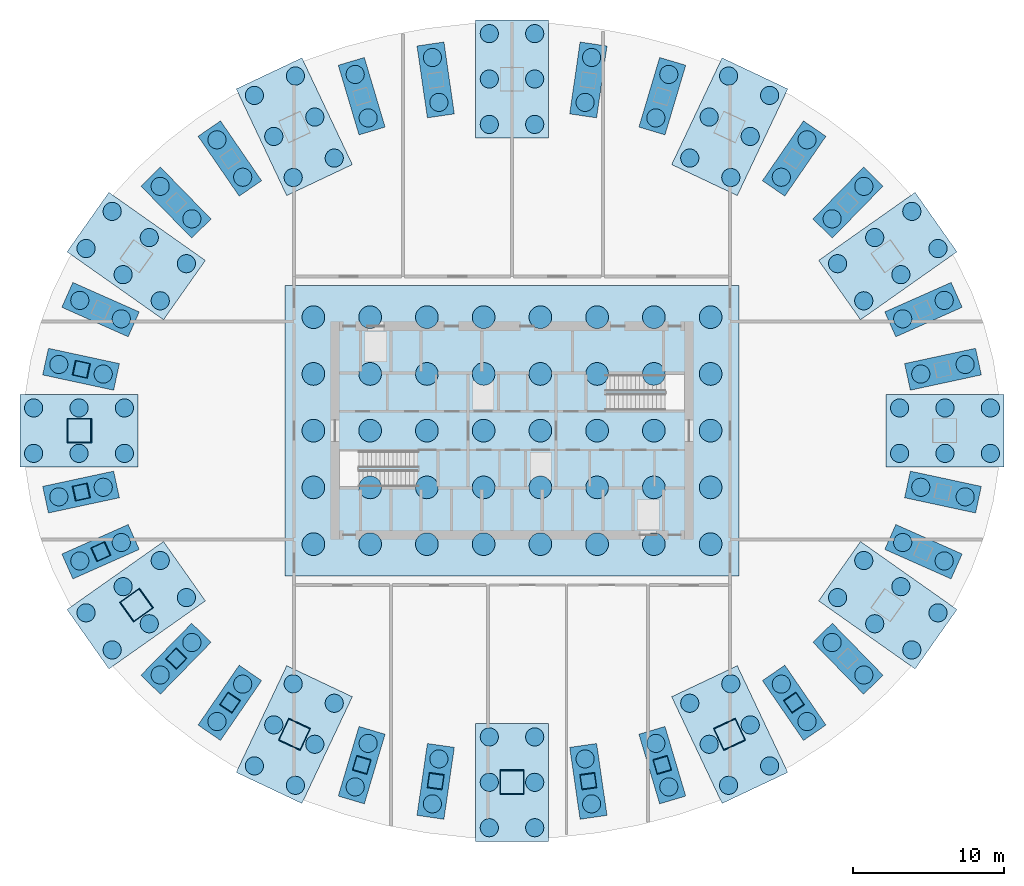
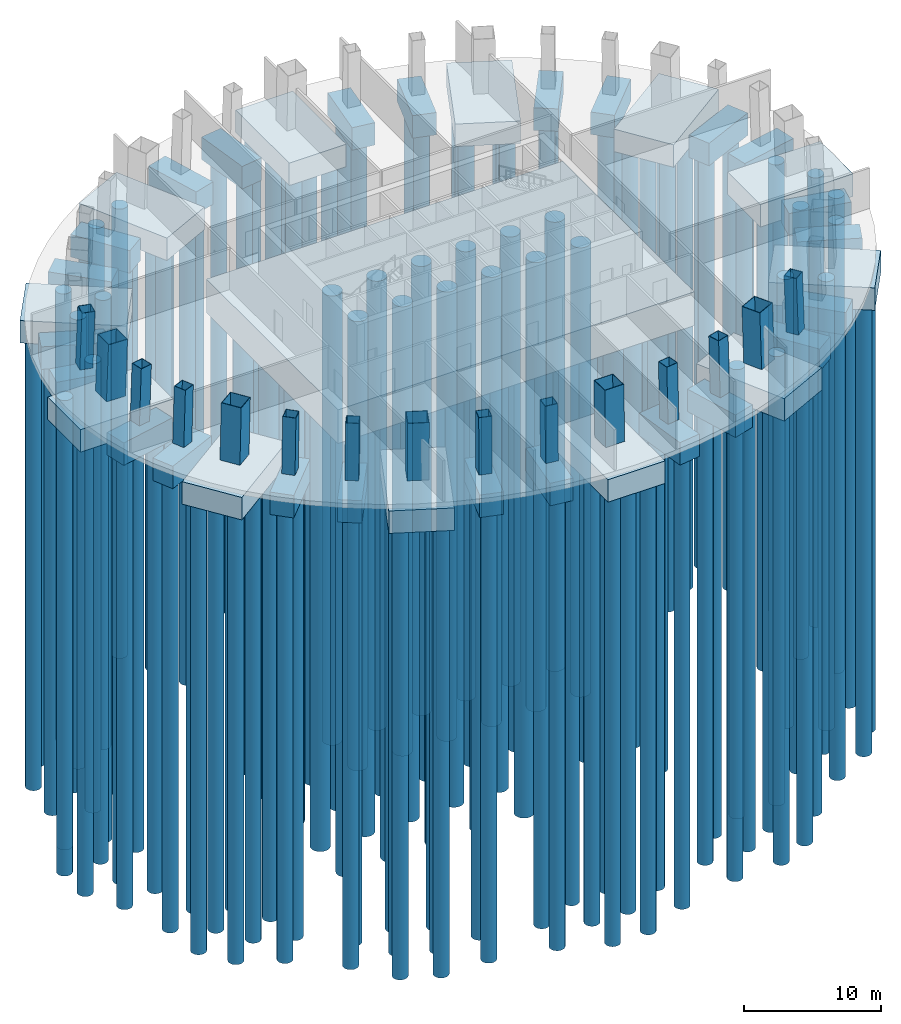
# One storey, part 1 of 7: 160 piles, 37 footings, 15 columns.
"""IFC4 building model written with IfcOpenShell, lengths in metres."""

from ifc_helpers import new_model, si_unit, direction, frame, origin, origin_2d, place, context, subcontext, project, spatial, rectangle, hollow_rectangle, circle, extrude, material, material_profile, profile_set, type_object, element, save


model = new_model("IFC4")

# Units and contexts
model_context = context("Model", 3, precision=1e-05, world=origin(), true_north=direction((0.0, 1.0)))
body_context = subcontext(model_context, "Body", "Model", "MODEL_VIEW")
ifc_project = project(units=[si_unit("LENGTHUNIT", "METRE"), si_unit("AREAUNIT", "SQUARE_METRE"), si_unit("VOLUMEUNIT", "CUBIC_METRE"), si_unit("PLANEANGLEUNIT", "RADIAN"), si_unit("MASSUNIT", "GRAM", prefix="KILO")], contexts=[model_context])

# Site, building, storey
site_placement = place(None, origin())
site = spatial("IfcSite", under=ifc_project, at=site_placement, CompositionType="ELEMENT")
building_placement = place(site_placement, origin())
building = spatial("IfcBuilding", under=site, at=building_placement, Name="Siaravel Broadcast Tower", CompositionType="ELEMENT")
storey_placement = place(building_placement, frame((0.0, 0.0, -5.0)))
storey = spatial("IfcBuildingStorey", under=building, at=storey_placement, Name="B1", CompositionType="ELEMENT", Elevation=-5.0)

# Footings
ifc_material_1 = material(Name="Concrete C40/50", Category="concrete")
footing_type_1 = type_object("IfcFootingType", Name="CAP-MEGA", PredefinedType="PILE_CAP", material=ifc_material_1)
for number, where, z_axis, x_axis, name in (
    (1, (28.615234375, 0.0, -2.39990234375), (0.0, 0.0, 1.0), (1.0, 0.0, 0.0), "Pile cap 01"),
    (2, (24.835205078125, 11.536376953125, -2.39990234375), (0.0, 0.0, 1.0), (0.817366172, 0.576118513, 0.0), "Pile cap 04"),
    (3, (14.387451171875, 20.084716796875, -2.39990234375), (0.0, 0.0, 1.0), (0.427515649, 0.904007948, 0.0), "Pile cap 07"),
    (4, (0.0, 23.240234375, -2.39990234375), (0.0, 0.0, 1.0), (0.0, 1.0, 0.0), "Pile cap 10"),
    (5, (-14.387451171875, 20.084716796875, -2.39990234375), (0.0, 0.0, 1.0), (-0.427515649, 0.904007948, 0.0), "Pile cap 13"),
    (6, (-24.835205078125, 11.536376953125, -2.39990234375), (0.0, 0.0, 1.0), (-0.817366172, 0.576118513, 0.0), "Pile cap 16"),
    (7, (-28.615234375, 0.0, -2.39990234375), (0.0, 0.0, 1.0), (-1.0, 0.0, 0.0), "Pile cap 19"),
    (8, (-24.835205078125, -11.536376953125, -2.39990234375), (0.0, 0.0, 1.0), (-0.817366172, -0.576118513, 0.0), "Pile cap 22"),
    (9, (-14.387451171875, -20.084716796875, -2.39990234375), (0.0, 0.0, 1.0), (-0.427515649, -0.904007948, 0.0), "Pile cap 25"),
    (10, (0.0, -23.240234375, -2.39990234375), (0.0, 0.0, 1.0), (0.0, -1.0, 0.0), "Pile cap 28"),
    (11, (14.387451171875, -20.084716796875, -2.39990234375), (0.0, 0.0, 1.0), (0.427515649, -0.904007948, 0.0), "Pile cap 31"),
    (12, (24.835205078125, -11.536376953125, -2.39990234375), (0.0, 0.0, 1.0), (0.817366172, -0.576118513, 0.0), "Pile cap 34"),
):
    element("IfcFooting", number, at=place(storey_placement, frame(where, z_axis=z_axis, x_axis=x_axis)), inside=storey, type_object=footing_type_1, Name=name, PredefinedType="PILE_CAP", context=body_context, shape_type="SweptSolid", body=[
        extrude(rectangle(XDim=7.800048828125, YDim=4.800048828125, at=origin_2d()), origin(), (0.0, 0.0, 1.0), 2.0),
    ])
footing_type_2 = type_object("IfcFootingType", Name="CAP-STD", PredefinedType="PILE_CAP", material=ifc_material_1)
for number, where, z_axis, x_axis, name in (
    (13, (28.481689453125, 4.058349609375, -2.39990234375), (0.0, 0.0, 1.0), (0.977607284, 0.210437635, 0.0), "Pile cap 02"),
    (14, (27.192138671875, 8.0, -2.39990234375), (0.0, 0.0, 1.0), (0.913843366, 0.40606687, 0.0), "Pile cap 03"),
    (15, (22.204345703125, 15.072998046875, -2.39990234375), (0.0, 0.0, 1.0), (0.698527698, 0.715583018, 0.0), "Pile cap 05"),
    (16, (18.6474609375, 17.986328125, -2.39990234375), (0.0, 0.0, 1.0), (0.566420621, 0.824116303, 0.0), "Pile cap 06"),
    (17, (9.934814453125, 22.105712890625, -2.39990234375), (0.0, 0.0, 1.0), (0.285705093, 0.958317588, 0.0), "Pile cap 08"),
    (18, (5.045654296875, 23.1787109375, -2.39990234375), (0.0, 0.0, 1.0), (0.142939874, 0.989731374, 0.0), "Pile cap 09"),
    (19, (-5.045654296875, 23.1787109375, -2.39990234375), (0.0, 0.0, 1.0), (-0.142939874, 0.989731374, 0.0), "Pile cap 11"),
    (20, (-9.934814453125, 22.105712890625, -2.39990234375), (0.0, 0.0, 1.0), (-0.285705093, 0.958317588, 0.0), "Pile cap 12"),
    (21, (-18.6474609375, 17.986328125, -2.39990234375), (0.0, 0.0, 1.0), (-0.566420621, 0.824116303, 0.0), "Pile cap 14"),
    (22, (-22.204345703125, 15.072998046875, -2.39990234375), (0.0, 0.0, 1.0), (-0.698527698, 0.715583018, 0.0), "Pile cap 15"),
    (23, (-27.192138671875, 8.0, -2.39990234375), (0.0, 0.0, 1.0), (-0.913843366, 0.40606687, 0.0), "Pile cap 17"),
    (24, (-28.481689453125, 4.058349609375, -2.39990234375), (0.0, 0.0, 1.0), (-0.977607284, 0.210437635, 0.0), "Pile cap 18"),
    (25, (-28.481689453125, -4.058349609375, -2.39990234375), (0.0, 0.0, 1.0), (-0.977607284, -0.210437635, 0.0), "Pile cap 20"),
    (26, (-27.192138671875, -8.0, -2.39990234375), (0.0, 0.0, 1.0), (-0.913843366, -0.40606687, 0.0), "Pile cap 21"),
    (27, (-22.204345703125, -15.072998046875, -2.39990234375), (0.0, 0.0, 1.0), (-0.698527698, -0.715583018, 0.0), "Pile cap 23"),
    (28, (-18.6474609375, -17.986328125, -2.39990234375), (0.0, 0.0, 1.0), (-0.566420621, -0.824116303, 0.0), "Pile cap 24"),
    (29, (-9.934814453125, -22.105712890625, -2.39990234375), (0.0, 0.0, 1.0), (-0.285705093, -0.958317588, 0.0), "Pile cap 26"),
    (30, (-5.045654296875, -23.1787109375, -2.39990234375), (0.0, 0.0, 1.0), (-0.142939874, -0.989731374, 0.0), "Pile cap 27"),
    (31, (5.045654296875, -23.1787109375, -2.39990234375), (0.0, 0.0, 1.0), (0.142939874, -0.989731374, 0.0), "Pile cap 29"),
    (32, (9.934814453125, -22.105712890625, -2.39990234375), (0.0, 0.0, 1.0), (0.285705093, -0.958317588, 0.0), "Pile cap 30"),
    (33, (18.6474609375, -17.986328125, -2.39990234375), (0.0, 0.0, 1.0), (0.566420621, -0.824116303, 0.0), "Pile cap 32"),
    (34, (22.204345703125, -15.072998046875, -2.39990234375), (0.0, 0.0, 1.0), (0.698527698, -0.715583018, 0.0), "Pile cap 33"),
    (35, (27.192138671875, -8.0, -2.39990234375), (0.0, 0.0, 1.0), (0.913843366, -0.40606687, 0.0), "Pile cap 35"),
    (36, (28.481689453125, -4.058349609375, -2.39990234375), (0.0, 0.0, 1.0), (0.977607284, -0.210437635, 0.0), "Pile cap 36"),
):
    element("IfcFooting", number, at=place(storey_placement, frame(where, z_axis=z_axis, x_axis=x_axis)), inside=storey, type_object=footing_type_2, Name=name, PredefinedType="PILE_CAP", context=body_context, shape_type="SweptSolid", body=[
        extrude(rectangle(XDim=4.800048828125, YDim=1.800048828125, at=origin_2d()), origin(), (0.0, 0.0, 1.0), 2.0),
    ])

# Piles
ifc_material_profile_1 = material_profile(ifc_material_1, circle(Radius=0.60009765625, at=origin_2d()))
ifc_profile_set_1 = profile_set([ifc_material_profile_1], Name="Concrete C40/50")
pile_type_1 = type_object("IfcPileType", Name="PILE-BORED-1200", PredefinedType="BORED", material=ifc_profile_set_1)
for number, where, z_axis, x_axis, name in (
    (37, (25.615234375, -1.5, -2.39990234375), (0.0, 0.0, -1.0), (1.0, 0.0, 0.0), "Bored pile 01"),
    (38, (25.615234375, 1.5, -2.39990234375), (0.0, 0.0, -1.0), (1.0, 0.0, 0.0), "Bored pile 01"),
    (39, (28.615234375, -1.5, -2.39990234375), (0.0, 0.0, -1.0), (1.0, 0.0, 0.0), "Bored pile 01"),
    (40, (28.615234375, 1.5, -2.39990234375), (0.0, 0.0, -1.0), (1.0, 0.0, 0.0), "Bored pile 01"),
    (41, (31.615234375, -1.5, -2.39990234375), (0.0, 0.0, -1.0), (1.0, 0.0, 0.0), "Bored pile 01"),
    (42, (31.615234375, 1.5, -2.39990234375), (0.0, 0.0, -1.0), (1.0, 0.0, 0.0), "Bored pile 01"),
    (43, (27.015380859375, 3.74267578125, -2.39990234375), (0.0, 0.0, -1.0), (1.0, 0.0, 0.0), "Bored pile 02"),
    (44, (29.9482421875, 4.3740234375, -2.39990234375), (0.0, 0.0, -1.0), (1.0, 0.0, 0.0), "Bored pile 02"),
    (45, (25.8212890625, 7.390869140625, -2.39990234375), (0.0, 0.0, -1.0), (1.0, 0.0, 0.0), "Bored pile 03"),
    (46, (28.56298828125, 8.609130859375, -2.39990234375), (0.0, 0.0, -1.0), (1.0, 0.0, 0.0), "Bored pile 03"),
    (47, (23.247314453125, 8.58203125, -2.39990234375), (0.0, 0.0, -1.0), (1.0, 0.0, 0.0), "Bored pile 04"),
    (48, (21.518798828125, 11.0341796875, -2.39990234375), (0.0, 0.0, -1.0), (1.0, 0.0, 0.0), "Bored pile 04"),
    (49, (25.69921875, 10.310302734375, -2.39990234375), (0.0, 0.0, -1.0), (1.0, 0.0, 0.0), "Bored pile 04"),
    (50, (23.970947265625, 12.762451171875, -2.39990234375), (0.0, 0.0, -1.0), (1.0, 0.0, 0.0), "Bored pile 04"),
    (51, (28.1513671875, 12.038818359375, -2.39990234375), (0.0, 0.0, -1.0), (1.0, 0.0, 0.0), "Bored pile 04"),
    (52, (26.423095703125, 14.49072265625, -2.39990234375), (0.0, 0.0, -1.0), (1.0, 0.0, 0.0), "Bored pile 04"),
    (53, (21.156494140625, 13.999755859375, -2.39990234375), (0.0, 0.0, -1.0), (1.0, 0.0, 0.0), "Bored pile 05"),
    (54, (23.252197265625, 16.146484375, -2.39990234375), (0.0, 0.0, -1.0), (1.0, 0.0, 0.0), "Bored pile 05"),
    (55, (17.7978515625, 16.750244140625, -2.39990234375), (0.0, 0.0, -1.0), (1.0, 0.0, 0.0), "Bored pile 06"),
    (56, (19.4970703125, 19.22265625, -2.39990234375), (0.0, 0.0, -1.0), (1.0, 0.0, 0.0), "Bored pile 06"),
    (57, (14.4609375, 16.7314453125, -2.39990234375), (0.0, 0.0, -1.0), (1.0, 0.0, 0.0), "Bored pile 07"),
    (58, (11.748779296875, 18.013916015625, -2.39990234375), (0.0, 0.0, -1.0), (1.0, 0.0, 0.0), "Bored pile 07"),
    (59, (15.743408203125, 19.443603515625, -2.39990234375), (0.0, 0.0, -1.0), (1.0, 0.0, 0.0), "Bored pile 07"),
    (60, (13.031494140625, 20.72607421875, -2.39990234375), (0.0, 0.0, -1.0), (1.0, 0.0, 0.0), "Bored pile 07"),
    (61, (17.02587890625, 22.155517578125, -2.39990234375), (0.0, 0.0, -1.0), (1.0, 0.0, 0.0), "Bored pile 07"),
    (62, (14.31396484375, 23.43798828125, -2.39990234375), (0.0, 0.0, -1.0), (1.0, 0.0, 0.0), "Bored pile 07"),
    (63, (9.506103515625, 20.668212890625, -2.39990234375), (0.0, 0.0, -1.0), (1.0, 0.0, 0.0), "Bored pile 08"),
    (64, (10.36328125, 23.543212890625, -2.39990234375), (0.0, 0.0, -1.0), (1.0, 0.0, 0.0), "Bored pile 08"),
    (65, (4.831298828125, 21.694091796875, -2.39990234375), (0.0, 0.0, -1.0), (1.0, 0.0, 0.0), "Bored pile 09"),
    (66, (5.260009765625, 24.6630859375, -2.39990234375), (0.0, 0.0, -1.0), (1.0, 0.0, 0.0), "Bored pile 09"),
    (67, (1.5, 20.240234375, -2.39990234375), (0.0, 0.0, -1.0), (1.0, 0.0, 0.0), "Bored pile 10"),
    (68, (-1.5, 20.240234375, -2.39990234375), (0.0, 0.0, -1.0), (1.0, 0.0, 0.0), "Bored pile 10"),
    (69, (1.5, 23.240234375, -2.39990234375), (0.0, 0.0, -1.0), (1.0, 0.0, 0.0), "Bored pile 10"),
    (70, (-1.5, 23.240234375, -2.39990234375), (0.0, 0.0, -1.0), (1.0, 0.0, 0.0), "Bored pile 10"),
    (71, (1.5, 26.240234375, -2.39990234375), (0.0, 0.0, -1.0), (1.0, 0.0, 0.0), "Bored pile 10"),
    (72, (-1.5, 26.240234375, -2.39990234375), (0.0, 0.0, -1.0), (1.0, 0.0, 0.0), "Bored pile 10"),
    (73, (-4.831298828125, 21.694091796875, -2.39990234375), (0.0, 0.0, -1.0), (1.0, 0.0, 0.0), "Bored pile 11"),
    (74, (-5.260009765625, 24.6630859375, -2.39990234375), (0.0, 0.0, -1.0), (1.0, 0.0, 0.0), "Bored pile 11"),
    (75, (-9.506103515625, 20.668212890625, -2.39990234375), (0.0, 0.0, -1.0), (1.0, 0.0, 0.0), "Bored pile 12"),
    (76, (-10.36328125, 23.543212890625, -2.39990234375), (0.0, 0.0, -1.0), (1.0, 0.0, 0.0), "Bored pile 12"),
    (77, (-11.748779296875, 18.013916015625, -2.39990234375), (0.0, 0.0, -1.0), (1.0, 0.0, 0.0), "Bored pile 13"),
    (78, (-14.4609375, 16.7314453125, -2.39990234375), (0.0, 0.0, -1.0), (1.0, 0.0, 0.0), "Bored pile 13"),
    (79, (-13.031494140625, 20.72607421875, -2.39990234375), (0.0, 0.0, -1.0), (1.0, 0.0, 0.0), "Bored pile 13"),
    (80, (-15.743408203125, 19.443603515625, -2.39990234375), (0.0, 0.0, -1.0), (1.0, 0.0, 0.0), "Bored pile 13"),
    (81, (-14.31396484375, 23.43798828125, -2.39990234375), (0.0, 0.0, -1.0), (1.0, 0.0, 0.0), "Bored pile 13"),
    (82, (-17.02587890625, 22.155517578125, -2.39990234375), (0.0, 0.0, -1.0), (1.0, 0.0, 0.0), "Bored pile 13"),
    (83, (-17.7978515625, 16.750244140625, -2.39990234375), (0.0, 0.0, -1.0), (1.0, 0.0, 0.0), "Bored pile 14"),
    (84, (-19.4970703125, 19.22265625, -2.39990234375), (0.0, 0.0, -1.0), (1.0, 0.0, 0.0), "Bored pile 14"),
    (85, (-21.156494140625, 13.999755859375, -2.39990234375), (0.0, 0.0, -1.0), (1.0, 0.0, 0.0), "Bored pile 15"),
    (86, (-23.252197265625, 16.146484375, -2.39990234375), (0.0, 0.0, -1.0), (1.0, 0.0, 0.0), "Bored pile 15"),
    (87, (-21.518798828125, 11.0341796875, -2.39990234375), (0.0, 0.0, -1.0), (1.0, 0.0, 0.0), "Bored pile 16"),
    (88, (-23.247314453125, 8.58203125, -2.39990234375), (0.0, 0.0, -1.0), (1.0, 0.0, 0.0), "Bored pile 16"),
    (89, (-23.970947265625, 12.762451171875, -2.39990234375), (0.0, 0.0, -1.0), (1.0, 0.0, 0.0), "Bored pile 16"),
    (90, (-25.69921875, 10.310302734375, -2.39990234375), (0.0, 0.0, -1.0), (1.0, 0.0, 0.0), "Bored pile 16"),
    (91, (-26.423095703125, 14.49072265625, -2.39990234375), (0.0, 0.0, -1.0), (1.0, 0.0, 0.0), "Bored pile 16"),
    (92, (-28.1513671875, 12.038818359375, -2.39990234375), (0.0, 0.0, -1.0), (1.0, 0.0, 0.0), "Bored pile 16"),
    (93, (-25.8212890625, 7.390869140625, -2.39990234375), (0.0, 0.0, -1.0), (1.0, 0.0, 0.0), "Bored pile 17"),
    (94, (-28.56298828125, 8.609130859375, -2.39990234375), (0.0, 0.0, -1.0), (1.0, 0.0, 0.0), "Bored pile 17"),
    (95, (-27.015380859375, 3.74267578125, -2.39990234375), (0.0, 0.0, -1.0), (1.0, 0.0, 0.0), "Bored pile 18"),
    (96, (-29.9482421875, 4.3740234375, -2.39990234375), (0.0, 0.0, -1.0), (1.0, 0.0, 0.0), "Bored pile 18"),
    (97, (-25.615234375, 1.5, -2.39990234375), (0.0, 0.0, -1.0), (1.0, 0.0, 0.0), "Bored pile 19"),
    (98, (-25.615234375, -1.5, -2.39990234375), (0.0, 0.0, -1.0), (1.0, 0.0, 0.0), "Bored pile 19"),
    (99, (-28.615234375, 1.5, -2.39990234375), (0.0, 0.0, -1.0), (1.0, 0.0, 0.0), "Bored pile 19"),
    (100, (-28.615234375, -1.5, -2.39990234375), (0.0, 0.0, -1.0), (1.0, 0.0, 0.0), "Bored pile 19"),
    (101, (-31.615234375, 1.5, -2.39990234375), (0.0, 0.0, -1.0), (1.0, 0.0, 0.0), "Bored pile 19"),
    (102, (-31.615234375, -1.5, -2.39990234375), (0.0, 0.0, -1.0), (1.0, 0.0, 0.0), "Bored pile 19"),
    (103, (-27.015380859375, -3.74267578125, -2.39990234375), (0.0, 0.0, -1.0), (1.0, 0.0, 0.0), "Bored pile 20"),
    (104, (-29.9482421875, -4.3740234375, -2.39990234375), (0.0, 0.0, -1.0), (1.0, 0.0, 0.0), "Bored pile 20"),
    (105, (-25.8212890625, -7.390869140625, -2.39990234375), (0.0, 0.0, -1.0), (1.0, 0.0, 0.0), "Bored pile 21"),
    (106, (-28.56298828125, -8.609130859375, -2.39990234375), (0.0, 0.0, -1.0), (1.0, 0.0, 0.0), "Bored pile 21"),
    (107, (-23.247314453125, -8.58203125, -2.39990234375), (0.0, 0.0, -1.0), (1.0, 0.0, 0.0), "Bored pile 22"),
    (108, (-21.518798828125, -11.0341796875, -2.39990234375), (0.0, 0.0, -1.0), (1.0, 0.0, 0.0), "Bored pile 22"),
    (109, (-25.69921875, -10.310302734375, -2.39990234375), (0.0, 0.0, -1.0), (1.0, 0.0, 0.0), "Bored pile 22"),
    (110, (-23.970947265625, -12.762451171875, -2.39990234375), (0.0, 0.0, -1.0), (1.0, 0.0, 0.0), "Bored pile 22"),
    (111, (-28.1513671875, -12.038818359375, -2.39990234375), (0.0, 0.0, -1.0), (1.0, 0.0, 0.0), "Bored pile 22"),
    (112, (-26.423095703125, -14.49072265625, -2.39990234375), (0.0, 0.0, -1.0), (1.0, 0.0, 0.0), "Bored pile 22"),
    (113, (-21.156494140625, -13.999755859375, -2.39990234375), (0.0, 0.0, -1.0), (1.0, 0.0, 0.0), "Bored pile 23"),
    (114, (-23.252197265625, -16.146484375, -2.39990234375), (0.0, 0.0, -1.0), (1.0, 0.0, 0.0), "Bored pile 23"),
    (115, (-17.7978515625, -16.750244140625, -2.39990234375), (0.0, 0.0, -1.0), (1.0, 0.0, 0.0), "Bored pile 24"),
    (116, (-19.4970703125, -19.22265625, -2.39990234375), (0.0, 0.0, -1.0), (1.0, 0.0, 0.0), "Bored pile 24"),
    (117, (-14.4609375, -16.7314453125, -2.39990234375), (0.0, 0.0, -1.0), (1.0, 0.0, 0.0), "Bored pile 25"),
    (118, (-11.748779296875, -18.013916015625, -2.39990234375), (0.0, 0.0, -1.0), (1.0, 0.0, 0.0), "Bored pile 25"),
    (119, (-15.743408203125, -19.443603515625, -2.39990234375), (0.0, 0.0, -1.0), (1.0, 0.0, 0.0), "Bored pile 25"),
    (120, (-13.031494140625, -20.72607421875, -2.39990234375), (0.0, 0.0, -1.0), (1.0, 0.0, 0.0), "Bored pile 25"),
    (121, (-17.02587890625, -22.155517578125, -2.39990234375), (0.0, 0.0, -1.0), (1.0, 0.0, 0.0), "Bored pile 25"),
    (122, (-14.31396484375, -23.43798828125, -2.39990234375), (0.0, 0.0, -1.0), (1.0, 0.0, 0.0), "Bored pile 25"),
    (123, (-9.506103515625, -20.668212890625, -2.39990234375), (0.0, 0.0, -1.0), (1.0, 0.0, 0.0), "Bored pile 26"),
    (124, (-10.36328125, -23.543212890625, -2.39990234375), (0.0, 0.0, -1.0), (1.0, 0.0, 0.0), "Bored pile 26"),
    (125, (-4.831298828125, -21.694091796875, -2.39990234375), (0.0, 0.0, -1.0), (1.0, 0.0, 0.0), "Bored pile 27"),
    (126, (-5.260009765625, -24.6630859375, -2.39990234375), (0.0, 0.0, -1.0), (1.0, 0.0, 0.0), "Bored pile 27"),
    (127, (-1.5, -20.240234375, -2.39990234375), (0.0, 0.0, -1.0), (1.0, 0.0, 0.0), "Bored pile 28"),
    (128, (1.5, -20.240234375, -2.39990234375), (0.0, 0.0, -1.0), (1.0, 0.0, 0.0), "Bored pile 28"),
    (129, (-1.5, -23.240234375, -2.39990234375), (0.0, 0.0, -1.0), (1.0, 0.0, 0.0), "Bored pile 28"),
    (130, (1.5, -23.240234375, -2.39990234375), (0.0, 0.0, -1.0), (1.0, 0.0, 0.0), "Bored pile 28"),
    (131, (-1.5, -26.240234375, -2.39990234375), (0.0, 0.0, -1.0), (1.0, 0.0, 0.0), "Bored pile 28"),
    (132, (1.5, -26.240234375, -2.39990234375), (0.0, 0.0, -1.0), (1.0, 0.0, 0.0), "Bored pile 28"),
    (133, (4.831298828125, -21.694091796875, -2.39990234375), (0.0, 0.0, -1.0), (1.0, 0.0, 0.0), "Bored pile 29"),
    (134, (5.260009765625, -24.6630859375, -2.39990234375), (0.0, 0.0, -1.0), (1.0, 0.0, 0.0), "Bored pile 29"),
    (135, (9.506103515625, -20.668212890625, -2.39990234375), (0.0, 0.0, -1.0), (1.0, 0.0, 0.0), "Bored pile 30"),
    (136, (10.36328125, -23.543212890625, -2.39990234375), (0.0, 0.0, -1.0), (1.0, 0.0, 0.0), "Bored pile 30"),
    (137, (11.748779296875, -18.013916015625, -2.39990234375), (0.0, 0.0, -1.0), (1.0, 0.0, 0.0), "Bored pile 31"),
    (138, (14.4609375, -16.7314453125, -2.39990234375), (0.0, 0.0, -1.0), (1.0, 0.0, 0.0), "Bored pile 31"),
    (139, (13.031494140625, -20.72607421875, -2.39990234375), (0.0, 0.0, -1.0), (1.0, 0.0, 0.0), "Bored pile 31"),
    (140, (15.743408203125, -19.443603515625, -2.39990234375), (0.0, 0.0, -1.0), (1.0, 0.0, 0.0), "Bored pile 31"),
    (141, (14.31396484375, -23.43798828125, -2.39990234375), (0.0, 0.0, -1.0), (1.0, 0.0, 0.0), "Bored pile 31"),
    (142, (17.02587890625, -22.155517578125, -2.39990234375), (0.0, 0.0, -1.0), (1.0, 0.0, 0.0), "Bored pile 31"),
    (143, (17.7978515625, -16.750244140625, -2.39990234375), (0.0, 0.0, -1.0), (1.0, 0.0, 0.0), "Bored pile 32"),
    (144, (19.4970703125, -19.22265625, -2.39990234375), (0.0, 0.0, -1.0), (1.0, 0.0, 0.0), "Bored pile 32"),
    (145, (21.156494140625, -13.999755859375, -2.39990234375), (0.0, 0.0, -1.0), (1.0, 0.0, 0.0), "Bored pile 33"),
    (146, (23.252197265625, -16.146484375, -2.39990234375), (0.0, 0.0, -1.0), (1.0, 0.0, 0.0), "Bored pile 33"),
    (147, (21.518798828125, -11.0341796875, -2.39990234375), (0.0, 0.0, -1.0), (1.0, 0.0, 0.0), "Bored pile 34"),
    (148, (23.247314453125, -8.58203125, -2.39990234375), (0.0, 0.0, -1.0), (1.0, 0.0, 0.0), "Bored pile 34"),
    (149, (23.970947265625, -12.762451171875, -2.39990234375), (0.0, 0.0, -1.0), (1.0, 0.0, 0.0), "Bored pile 34"),
    (150, (25.69921875, -10.310302734375, -2.39990234375), (0.0, 0.0, -1.0), (1.0, 0.0, 0.0), "Bored pile 34"),
    (151, (26.423095703125, -14.49072265625, -2.39990234375), (0.0, 0.0, -1.0), (1.0, 0.0, 0.0), "Bored pile 34"),
    (152, (28.1513671875, -12.038818359375, -2.39990234375), (0.0, 0.0, -1.0), (1.0, 0.0, 0.0), "Bored pile 34"),
    (153, (25.8212890625, -7.390869140625, -2.39990234375), (0.0, 0.0, -1.0), (1.0, 0.0, 0.0), "Bored pile 35"),
    (154, (28.56298828125, -8.609130859375, -2.39990234375), (0.0, 0.0, -1.0), (1.0, 0.0, 0.0), "Bored pile 35"),
    (155, (27.015380859375, -3.74267578125, -2.39990234375), (0.0, 0.0, -1.0), (1.0, 0.0, 0.0), "Bored pile 36"),
    (156, (29.9482421875, -4.3740234375, -2.39990234375), (0.0, 0.0, -1.0), (1.0, 0.0, 0.0), "Bored pile 36"),
):
    element("IfcPile", number, at=place(storey_placement, frame(where, z_axis=z_axis, x_axis=x_axis)), inside=storey, type_object=pile_type_1, Name=name, PredefinedType="BORED", context=body_context, shape_type="SweptSolid", body=[
        extrude(circle(Radius=0.60009765625, at=origin_2d()), origin(), (0.0, 0.0, 1.0), 40.0),
    ])
ifc_material_profile_2 = material_profile(ifc_material_1, circle(Radius=0.75, at=origin_2d()))
ifc_profile_set_2 = profile_set([ifc_material_profile_2], Name="Concrete C40/50")
pile_type_2 = type_object("IfcPileType", Name="PILE-BORED-1500", PredefinedType="BORED", material=ifc_profile_set_2)
for number, where, z_axis, x_axis, name in (
    (157, (-13.125, -7.5, -3.39990234375), (0.0, 0.0, -1.0), (1.0, 0.0, 0.0), "Bored pile under core raft"),
    (158, (-13.125, -3.75, -3.39990234375), (0.0, 0.0, -1.0), (1.0, 0.0, 0.0), "Bored pile under core raft"),
    (159, (-13.125, 0.0, -3.39990234375), (0.0, 0.0, -1.0), (1.0, 0.0, 0.0), "Bored pile under core raft"),
    (160, (-13.125, 3.75, -3.39990234375), (0.0, 0.0, -1.0), (1.0, 0.0, 0.0), "Bored pile under core raft"),
    (161, (-13.125, 7.5, -3.39990234375), (0.0, 0.0, -1.0), (1.0, 0.0, 0.0), "Bored pile under core raft"),
    (162, (-9.375, -7.5, -3.39990234375), (0.0, 0.0, -1.0), (1.0, 0.0, 0.0), "Bored pile under core raft"),
    (163, (-9.375, -3.75, -3.39990234375), (0.0, 0.0, -1.0), (1.0, 0.0, 0.0), "Bored pile under core raft"),
    (164, (-9.375, 0.0, -3.39990234375), (0.0, 0.0, -1.0), (1.0, 0.0, 0.0), "Bored pile under core raft"),
    (165, (-9.375, 3.75, -3.39990234375), (0.0, 0.0, -1.0), (1.0, 0.0, 0.0), "Bored pile under core raft"),
    (166, (-9.375, 7.5, -3.39990234375), (0.0, 0.0, -1.0), (1.0, 0.0, 0.0), "Bored pile under core raft"),
    (167, (-5.625, -7.5, -3.39990234375), (0.0, 0.0, -1.0), (1.0, 0.0, 0.0), "Bored pile under core raft"),
    (168, (-5.625, -3.75, -3.39990234375), (0.0, 0.0, -1.0), (1.0, 0.0, 0.0), "Bored pile under core raft"),
    (169, (-5.625, 0.0, -3.39990234375), (0.0, 0.0, -1.0), (1.0, 0.0, 0.0), "Bored pile under core raft"),
    (170, (-5.625, 3.75, -3.39990234375), (0.0, 0.0, -1.0), (1.0, 0.0, 0.0), "Bored pile under core raft"),
    (171, (-5.625, 7.5, -3.39990234375), (0.0, 0.0, -1.0), (1.0, 0.0, 0.0), "Bored pile under core raft"),
    (172, (-1.875, -7.5, -3.39990234375), (0.0, 0.0, -1.0), (1.0, 0.0, 0.0), "Bored pile under core raft"),
    (173, (-1.875, -3.75, -3.39990234375), (0.0, 0.0, -1.0), (1.0, 0.0, 0.0), "Bored pile under core raft"),
    (174, (-1.875, 0.0, -3.39990234375), (0.0, 0.0, -1.0), (1.0, 0.0, 0.0), "Bored pile under core raft"),
    (175, (-1.875, 3.75, -3.39990234375), (0.0, 0.0, -1.0), (1.0, 0.0, 0.0), "Bored pile under core raft"),
    (176, (-1.875, 7.5, -3.39990234375), (0.0, 0.0, -1.0), (1.0, 0.0, 0.0), "Bored pile under core raft"),
    (177, (1.875, -7.5, -3.39990234375), (0.0, 0.0, -1.0), (1.0, 0.0, 0.0), "Bored pile under core raft"),
    (178, (1.875, -3.75, -3.39990234375), (0.0, 0.0, -1.0), (1.0, 0.0, 0.0), "Bored pile under core raft"),
    (179, (1.875, 0.0, -3.39990234375), (0.0, 0.0, -1.0), (1.0, 0.0, 0.0), "Bored pile under core raft"),
    (180, (1.875, 3.75, -3.39990234375), (0.0, 0.0, -1.0), (1.0, 0.0, 0.0), "Bored pile under core raft"),
    (181, (1.875, 7.5, -3.39990234375), (0.0, 0.0, -1.0), (1.0, 0.0, 0.0), "Bored pile under core raft"),
    (182, (5.625, -7.5, -3.39990234375), (0.0, 0.0, -1.0), (1.0, 0.0, 0.0), "Bored pile under core raft"),
    (183, (5.625, -3.75, -3.39990234375), (0.0, 0.0, -1.0), (1.0, 0.0, 0.0), "Bored pile under core raft"),
    (184, (5.625, 0.0, -3.39990234375), (0.0, 0.0, -1.0), (1.0, 0.0, 0.0), "Bored pile under core raft"),
    (185, (5.625, 3.75, -3.39990234375), (0.0, 0.0, -1.0), (1.0, 0.0, 0.0), "Bored pile under core raft"),
    (186, (5.625, 7.5, -3.39990234375), (0.0, 0.0, -1.0), (1.0, 0.0, 0.0), "Bored pile under core raft"),
    (187, (9.375, -7.5, -3.39990234375), (0.0, 0.0, -1.0), (1.0, 0.0, 0.0), "Bored pile under core raft"),
    (188, (9.375, -3.75, -3.39990234375), (0.0, 0.0, -1.0), (1.0, 0.0, 0.0), "Bored pile under core raft"),
    (189, (9.375, 0.0, -3.39990234375), (0.0, 0.0, -1.0), (1.0, 0.0, 0.0), "Bored pile under core raft"),
    (190, (9.375, 3.75, -3.39990234375), (0.0, 0.0, -1.0), (1.0, 0.0, 0.0), "Bored pile under core raft"),
    (191, (9.375, 7.5, -3.39990234375), (0.0, 0.0, -1.0), (1.0, 0.0, 0.0), "Bored pile under core raft"),
    (192, (13.125, -7.5, -3.39990234375), (0.0, 0.0, -1.0), (1.0, 0.0, 0.0), "Bored pile under core raft"),
    (193, (13.125, -3.75, -3.39990234375), (0.0, 0.0, -1.0), (1.0, 0.0, 0.0), "Bored pile under core raft"),
    (194, (13.125, 0.0, -3.39990234375), (0.0, 0.0, -1.0), (1.0, 0.0, 0.0), "Bored pile under core raft"),
    (195, (13.125, 3.75, -3.39990234375), (0.0, 0.0, -1.0), (1.0, 0.0, 0.0), "Bored pile under core raft"),
    (196, (13.125, 7.5, -3.39990234375), (0.0, 0.0, -1.0), (1.0, 0.0, 0.0), "Bored pile under core raft"),
):
    element("IfcPile", number, at=place(storey_placement, frame(where, z_axis=z_axis, x_axis=x_axis)), inside=storey, type_object=pile_type_2, Name=name, PredefinedType="BORED", context=body_context, shape_type="SweptSolid", body=[
        extrude(circle(Radius=0.75, at=origin_2d()), origin(), (0.0, 0.0, 1.0), 40.0),
    ])

# Footing
footing_type_3 = type_object("IfcFootingType", Name="RAFT-CORE", PredefinedType="PILE_CAP", material=ifc_material_1)
footing_placement = place(storey_placement, frame((0.0, 0.0, -3.39990234375), z_axis=(0.0, 0.0, 1.0), x_axis=(1.0, 0.0, 0.0)))
element("IfcFooting", 197, at=footing_placement, inside=storey, type_object=footing_type_3, Name="Core raft", PredefinedType="PILE_CAP", context=body_context, shape_type="SweptSolid", body=[
    extrude(rectangle(XDim=30.0, YDim=19.199951171875, at=origin_2d()), origin(), (0.0, 0.0, 1.0), 3.0),
])

# Columns
ifc_material_2 = material(Name="Concrete C70/85", Category="concrete")
ifc_material_profile_3 = material_profile(ifc_material_2, hollow_rectangle(XDim=1.0, YDim=1.0, WallThickness=0.031982421875, at=origin_2d()))
ifc_profile_set_3 = profile_set([ifc_material_profile_3], Name="Concrete C70/85")
column_type_1 = type_object("IfcColumnType", Name="COL-CFT BOX 1000x1000x32", PredefinedType="COLUMN", material=ifc_profile_set_3)
for number, where, z_axis, x_axis, name in (
    (198, (-28.481689453125, 4.058349609375, 0.0), (0.03406184, -0.004928719, 0.999407574), (0.212520175, 0.977153672, -0.002424149), "Perimeter column C12"),
    (199, (-28.481689453125, -4.058349609375, 0.0), (0.03406184, 0.004928719, 0.999407574), (-0.212520175, 0.977153672, 0.002424149), "Perimeter column C13"),
    (200, (-27.192138671875, -8.0, 0.0), (0.032500817, 0.009711205, 0.999424529), (-0.409851764, 0.912141214, 0.004465096), "Perimeter column C14"),
):
    element("IfcColumn", number, at=place(storey_placement, frame(where, z_axis=z_axis, x_axis=x_axis)), inside=storey, type_object=column_type_1, Name=name, PredefinedType="COLUMN", context=body_context, shape_type="SweptSolid", body=[
        extrude(hollow_rectangle(XDim=1.0, YDim=1.0, WallThickness=0.031982421875, at=origin_2d()), origin(), (0.0, 0.0, 1.0), 5.0029296875),
    ])
column_1_placement = place(storey_placement, frame((-22.204345703125, -15.072998046875, 0.0), z_axis=(0.026451197, 0.018203499, 0.99948435), x_axis=(-0.719938809, 0.694007913, 0.006413178)))
element("IfcColumn", 201, at=column_1_placement, inside=storey, type_object=column_type_1, Name="Perimeter column C15", PredefinedType="COLUMN", context=body_context, shape_type="SweptSolid", body=[
    extrude(hollow_rectangle(XDim=1.0, YDim=1.0, WallThickness=0.031982421875, at=origin_2d()), origin(), (0.0, 0.0, 1.0), 5.002685546875),
])
column_2_placement = place(storey_placement, frame((-18.6474609375, -17.986328125, 0.0), z_axis=(0.022206077, 0.021718031, 0.999517492), x_axis=(-0.827946422, 0.560772827, 0.006209556)))
element("IfcColumn", 202, at=column_2_placement, inside=storey, type_object=column_type_1, Name="Perimeter column C16", PredefinedType="COLUMN", context=body_context, shape_type="SweptSolid", body=[
    extrude(hollow_rectangle(XDim=1.0, YDim=1.0, WallThickness=0.031982421875, at=origin_2d()), origin(), (0.0, 0.0, 1.0), 5.00244140625),
])
column_3_placement = place(storey_placement, frame((-9.934814453125, -22.105712890625, 0.0), z_axis=(0.011860186, 0.026648812, 0.999574498), x_axis=(-0.959327102, 0.282270497, 0.003857265)))
element("IfcColumn", 203, at=column_3_placement, inside=storey, type_object=column_type_1, Name="Perimeter column C17", PredefinedType="COLUMN", context=body_context, shape_type="SweptSolid", body=[
    extrude(hollow_rectangle(XDim=1.0, YDim=1.0, WallThickness=0.031982421875, at=origin_2d()), origin(), (0.0, 0.0, 1.0), 5.002197265625),
])
for number, where, z_axis, x_axis, name in (
    (204, (-5.045654296875, -23.1787109375, 0.0), (0.00600341, 0.027918297, 0.999592181), (-0.990084374, 0.140459386, 0.002023321), "Perimeter column C18"),
    (205, (5.045654296875, -23.1787109375, 0.0), (-0.00600341, 0.027918297, 0.999592181), (-0.990084374, -0.140459386, -0.002023321), "Perimeter column C19"),
):
    element("IfcColumn", number, at=place(storey_placement, frame(where, z_axis=z_axis, x_axis=x_axis)), inside=storey, type_object=column_type_1, Name=name, PredefinedType="COLUMN", context=body_context, shape_type="SweptSolid", body=[
        extrude(hollow_rectangle(XDim=1.0, YDim=1.0, WallThickness=0.031982421875, at=origin_2d()), origin(), (0.0, 0.0, 1.0), 5.001953125),
    ])
column_4_placement = place(storey_placement, frame((9.934814453125, -22.105712890625, 0.0), z_axis=(-0.011860186, 0.026648812, 0.999574498), x_axis=(-0.959327102, -0.282270497, -0.003857265)))
element("IfcColumn", 206, at=column_4_placement, inside=storey, type_object=column_type_1, Name="Perimeter column C20", PredefinedType="COLUMN", context=body_context, shape_type="SweptSolid", body=[
    extrude(hollow_rectangle(XDim=1.0, YDim=1.0, WallThickness=0.031982421875, at=origin_2d()), origin(), (0.0, 0.0, 1.0), 5.002197265625),
])
column_5_placement = place(storey_placement, frame((18.6474609375, -17.986328125, 0.0), z_axis=(-0.022206077, 0.021718031, 0.999517492), x_axis=(-0.827946422, -0.560772827, -0.006209556)))
element("IfcColumn", 207, at=column_5_placement, inside=storey, type_object=column_type_1, Name="Perimeter column C21", PredefinedType="COLUMN", context=body_context, shape_type="SweptSolid", body=[
    extrude(hollow_rectangle(XDim=1.0, YDim=1.0, WallThickness=0.031982421875, at=origin_2d()), origin(), (0.0, 0.0, 1.0), 5.00244140625),
])
ifc_material_profile_4 = material_profile(ifc_material_2, hollow_rectangle(XDim=1.60009765625, YDim=1.60009765625, WallThickness=0.0400390625, at=origin_2d()))
ifc_profile_set_4 = profile_set([ifc_material_profile_4], Name="Concrete C70/85")
column_type_2 = type_object("IfcColumnType", Name="COL-CFT BOX 1600x1600x40", PredefinedType="COLUMN", material=ifc_profile_set_4)
column_6_placement = place(storey_placement, frame((-28.615234375, 0.0, 0.0), z_axis=(0.034549673, 0.0, 0.999402982), x_axis=(0.0, 1.0, 0.0)))
element("IfcColumn", 208, at=column_6_placement, inside=storey, type_object=column_type_2, Name="Megacolumn MC07", PredefinedType="COLUMN", context=body_context, shape_type="SweptSolid", body=[
    extrude(hollow_rectangle(XDim=1.60009765625, YDim=1.60009765625, WallThickness=0.0400390625, at=origin_2d()), origin(), (0.0, 0.0, 1.0), 5.0029296875),
])
column_7_placement = place(storey_placement, frame((-24.835205078125, -11.536376953125, 0.0), z_axis=(0.029964003, 0.014152379, 0.999450784), x_axis=(-0.581238956, 0.813711512, 0.005903534)))
element("IfcColumn", 209, at=column_7_placement, inside=storey, type_object=column_type_2, Name="Megacolumn MC08", PredefinedType="COLUMN", context=body_context, shape_type="SweptSolid", body=[
    extrude(hollow_rectangle(XDim=1.60009765625, YDim=1.60009765625, WallThickness=0.0400390625, at=origin_2d()), origin(), (0.0, 0.0, 1.0), 5.002685546875),
])
column_8_placement = place(storey_placement, frame((-14.387451171875, -20.084716796875, 0.0), z_axis=(0.017326178, 0.02450068, 0.999549659), x_axis=(-0.906542435, 0.422080558, 0.005368072)))
element("IfcColumn", 210, at=column_8_placement, inside=storey, type_object=column_type_2, Name="Megacolumn MC09", PredefinedType="COLUMN", context=body_context, shape_type="SweptSolid", body=[
    extrude(hollow_rectangle(XDim=1.60009765625, YDim=1.60009765625, WallThickness=0.0400390625, at=origin_2d()), origin(), (0.0, 0.0, 1.0), 5.002197265625),
])
column_9_placement = place(storey_placement, frame((0.0, -23.240234375, 0.0), z_axis=(0.0, 0.028357732, 0.999597839), x_axis=(-1.0, 0.0, 0.0)))
element("IfcColumn", 211, at=column_9_placement, inside=storey, type_object=column_type_2, Name="Megacolumn MC10", PredefinedType="COLUMN", context=body_context, shape_type="SweptSolid", body=[
    extrude(hollow_rectangle(XDim=1.60009765625, YDim=1.60009765625, WallThickness=0.0400390625, at=origin_2d()), origin(), (0.0, 0.0, 1.0), 5.001953125),
])
column_10_placement = place(storey_placement, frame((14.387451171875, -20.084716796875, 0.0), z_axis=(-0.017326178, 0.02450068, 0.999549659), x_axis=(-0.906542435, -0.422080558, -0.005368072)))
element("IfcColumn", 212, at=column_10_placement, inside=storey, type_object=column_type_2, Name="Megacolumn MC11", PredefinedType="COLUMN", context=body_context, shape_type="SweptSolid", body=[
    extrude(hollow_rectangle(XDim=1.60009765625, YDim=1.60009765625, WallThickness=0.0400390625, at=origin_2d()), origin(), (0.0, 0.0, 1.0), 5.002197265625),
])

save(model, "model.ifc")
